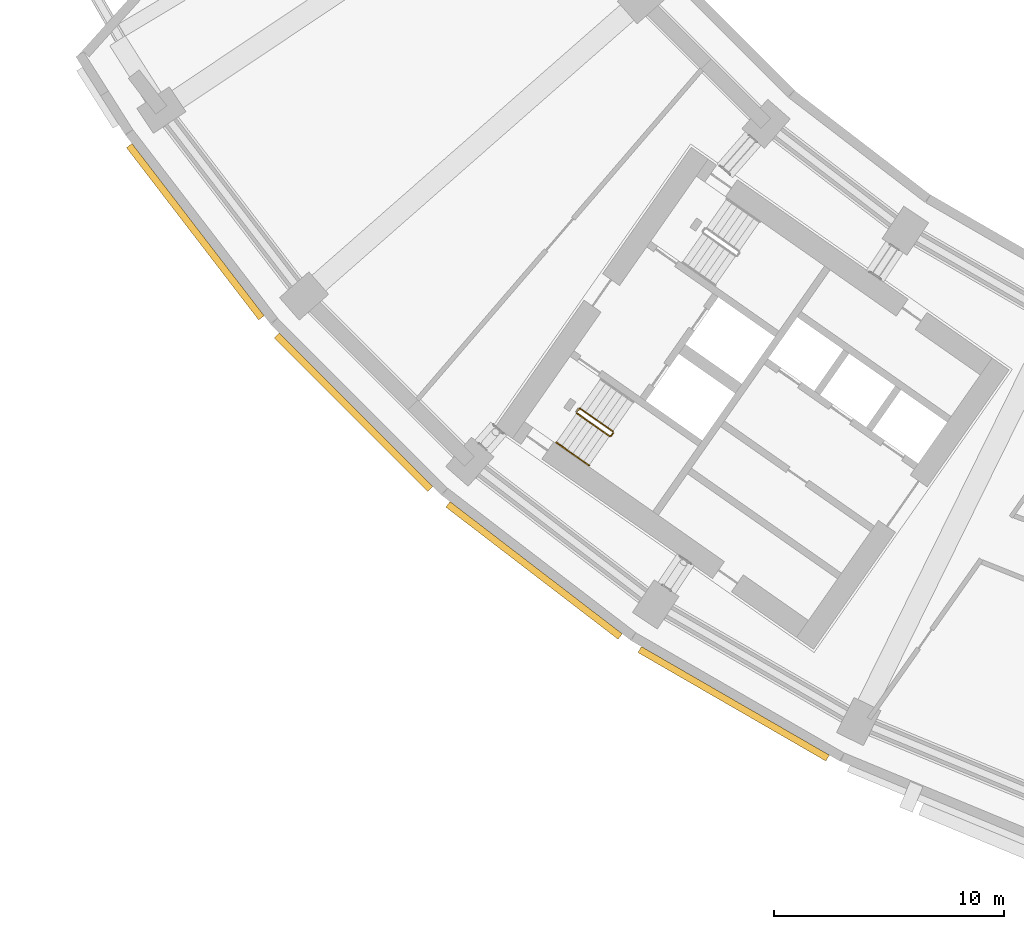
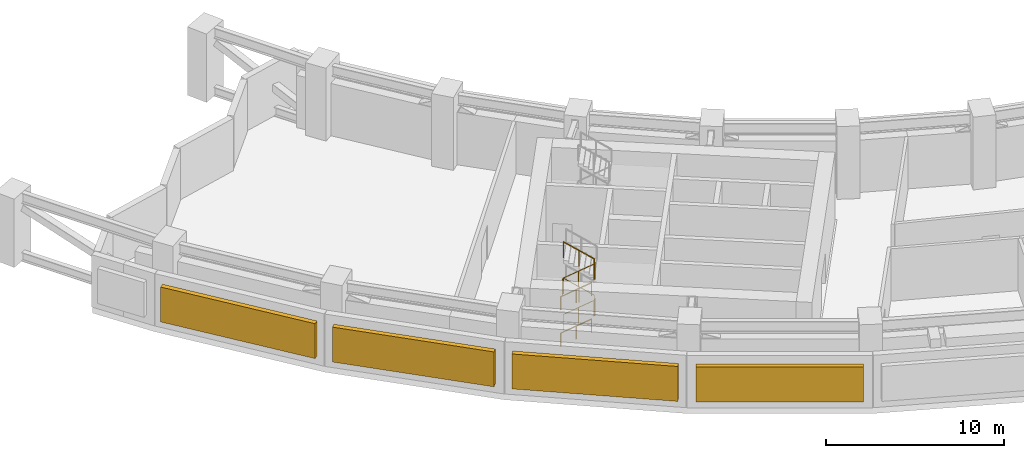
# One storey, part 21 of 25: 6 railings, 4 shading devices.
"""IFC4 building model written with IfcOpenShell, lengths in metres."""

from ifc_helpers import new_model, si_unit, direction, frame, origin, origin_2d, place, context, subcontext, project, spatial, rectangle, circle, extrude, material, type_object, element, save


model = new_model("IFC4")

# Units and contexts
model_context = context("Model", 3, precision=1e-05, world=origin(), true_north=direction((0.0, 1.0)))
body_context = subcontext(model_context, "Body", "Model", "MODEL_VIEW")
ifc_project = project(units=[si_unit("LENGTHUNIT", "METRE"), si_unit("AREAUNIT", "SQUARE_METRE"), si_unit("VOLUMEUNIT", "CUBIC_METRE"), si_unit("PLANEANGLEUNIT", "RADIAN"), si_unit("MASSUNIT", "GRAM", prefix="KILO")], contexts=[model_context])

# Site, building, storey
site_placement = place(None, origin())
site = spatial("IfcSite", under=ifc_project, at=site_placement, CompositionType="ELEMENT")
building_placement = place(site_placement, origin())
building = spatial("IfcBuilding", under=site, at=building_placement, Name="Qamariyya Broadcast Tower", CompositionType="ELEMENT")
storey_placement = place(building_placement, frame((0.0, 0.0, 89.89990234375)))
storey = spatial("IfcBuildingStorey", under=building, at=storey_placement, Name="L19", CompositionType="ELEMENT", Elevation=89.89990234375)

# Railings
ifc_material_1 = material(Name="Painted steel", Category="steel")
railing_type_1 = type_object("IfcRailingType", Name="Stair guard", PredefinedType="GUARDRAIL", material=ifc_material_1)
railing_1_placement = place(storey_placement, frame((-46.624267578125, -56.34765625, 0.1787109375)))
element("IfcRailing", 1, at=railing_1_placement, inside=storey, type_object=railing_type_1, Name="L19 ST-W1 stair guard 1", PredefinedType="GUARDRAIL", context=body_context, shape_type="SweptSolid", body=[
    extrude(circle(Radius=0.02392578125, at=origin_2d()), frame((0.0, 0.0, 1.076171875), z_axis=(0.697532699334, -0.488440163562, 0.524284598266), x_axis=(0.573594173421, 0.819139624372, 0.0)), (0.0, 0.0, 1.0), 2.04345703125),
    extrude(circle(Radius=0.02392578125, at=origin_2d()), frame((1.42529296875, -0.998046875, 2.1474609375), z_axis=(0.984957024646, 0.172799478008, 0.0), x_axis=(-0.172799478008, 0.984957024646, 0.0)), (0.0, 0.0, 1.0), 0.070556640625),
    extrude(circle(Radius=0.02392578125, at=origin_2d()), frame((1.494873046875, -0.98583984375, 2.1474609375), z_axis=(0.574444878118, 0.818543268254, 0.0), x_axis=(-0.818543268254, 0.574444878118, 0.0)), (0.0, 0.0, 1.0), 0.150146484375),
    extrude(circle(Radius=0.02099609375, at=origin_2d()), origin(), (0.0, 0.0, 1.0), 1.052001953125),
    extrude(circle(Radius=0.02099609375, at=origin_2d()), frame((0.712646484375, -0.4990234375, 0.53564453125)), (0.0, 0.0, 1.0), 1.052001953125),
    extrude(circle(Radius=0.02099609375, at=origin_2d()), frame((1.42529296875, -0.998046875, 1.0712890625)), (0.0, 0.0, 1.0), 1.052001953125),
    extrude(circle(Radius=0.02099609375, at=origin_2d()), frame((1.494873046875, -0.98583984375, 1.0712890625)), (0.0, 0.0, 1.0), 1.052001953125),
    extrude(circle(Radius=0.02099609375, at=origin_2d()), frame((1.5810546875, -0.863037109375, 1.0712890625)), (0.0, 0.0, 1.0), 1.052001953125),
])
railing_2_placement = place(storey_placement, frame((-45.0556640625, -57.14111328125, 1.4287109375)))
element("IfcRailing", 2, at=railing_2_placement, inside=storey, type_object=railing_type_1, Name="L19 ST-W1 stair guard 2", PredefinedType="GUARDRAIL", context=body_context, shape_type="SweptSolid", body=[
    extrude(circle(Radius=0.02392578125, at=origin_2d()), frame((0.0, 0.0, 1.076171875), z_axis=(-0.697532699334, 0.488440163562, 0.524284598266), x_axis=(-0.573594173421, -0.819139624372, 0.0)), (0.0, 0.0, 1.0), 2.04345703125),
    extrude(circle(Radius=0.02392578125, at=origin_2d()), frame((-1.42529296875, 0.998046875, 2.1474609375), z_axis=(-0.755650002112, -0.65497562879, 0.0), x_axis=(0.65497562879, -0.755650002112, 0.0)), (0.0, 0.0, 1.0), 0.2060546875),
    extrude(circle(Radius=0.02392578125, at=origin_2d()), frame((-1.5810546875, 0.863037109375, 2.1474609375), z_axis=(0.574444878118, 0.818543268254, 0.0), x_axis=(-0.818543268254, 0.574444878118, 0.0)), (0.0, 0.0, 1.0), 0.150146484375),
    extrude(circle(Radius=0.02099609375, at=origin_2d()), origin(), (0.0, 0.0, 1.0), 1.052001953125),
    extrude(circle(Radius=0.02099609375, at=origin_2d()), frame((-0.712646484375, 0.4990234375, 0.53564453125)), (0.0, 0.0, 1.0), 1.052001953125),
    extrude(circle(Radius=0.02099609375, at=origin_2d()), frame((-1.42529296875, 0.998046875, 1.0712890625)), (0.0, 0.0, 1.0), 1.052001953125),
    extrude(circle(Radius=0.02099609375, at=origin_2d()), frame((-1.5810546875, 0.863037109375, 1.0712890625)), (0.0, 0.0, 1.0), 1.052001953125),
    extrude(circle(Radius=0.02099609375, at=origin_2d()), frame((-1.494873046875, 0.98583984375, 1.0712890625)), (0.0, 0.0, 1.0), 1.052001953125),
])
railing_3_placement = place(storey_placement, frame((-46.624267578125, -56.34765625, 2.6787109375)))
element("IfcRailing", 3, at=railing_3_placement, inside=storey, type_object=railing_type_1, Name="L19 ST-W1 stair guard 3", PredefinedType="GUARDRAIL", context=body_context, shape_type="SweptSolid", body=[
    extrude(circle(Radius=0.02392578125, at=origin_2d()), frame((0.0, 0.0, 1.076171875), z_axis=(0.697532699334, -0.488440163562, 0.524284598266), x_axis=(0.573594173421, 0.819139624372, 0.0)), (0.0, 0.0, 1.0), 2.04345703125),
    extrude(circle(Radius=0.02392578125, at=origin_2d()), frame((1.42529296875, -0.998046875, 2.1474609375), z_axis=(0.984957024646, 0.172799478008, 0.0), x_axis=(-0.172799478008, 0.984957024646, 0.0)), (0.0, 0.0, 1.0), 0.070556640625),
    extrude(circle(Radius=0.02392578125, at=origin_2d()), frame((1.494873046875, -0.98583984375, 2.1474609375), z_axis=(0.574444878118, 0.818543268254, 0.0), x_axis=(-0.818543268254, 0.574444878118, 0.0)), (0.0, 0.0, 1.0), 0.150146484375),
    extrude(circle(Radius=0.02099609375, at=origin_2d()), origin(), (0.0, 0.0, 1.0), 1.052001953125),
    extrude(circle(Radius=0.02099609375, at=origin_2d()), frame((0.712646484375, -0.4990234375, 0.53564453125)), (0.0, 0.0, 1.0), 1.052001953125),
    extrude(circle(Radius=0.02099609375, at=origin_2d()), frame((1.42529296875, -0.998046875, 1.0712890625)), (0.0, 0.0, 1.0), 1.052001953125),
    extrude(circle(Radius=0.02099609375, at=origin_2d()), frame((1.494873046875, -0.98583984375, 1.0712890625)), (0.0, 0.0, 1.0), 1.052001953125),
    extrude(circle(Radius=0.02099609375, at=origin_2d()), frame((1.5810546875, -0.863037109375, 1.0712890625)), (0.0, 0.0, 1.0), 1.052001953125),
])
railing_4_placement = place(storey_placement, frame((-45.0556640625, -57.14111328125, 3.9287109375)))
element("IfcRailing", 4, at=railing_4_placement, inside=storey, type_object=railing_type_1, Name="L19 ST-W1 stair guard 4", PredefinedType="GUARDRAIL", context=body_context, shape_type="SweptSolid", body=[
    extrude(circle(Radius=0.02392578125, at=origin_2d()), frame((0.0, 0.0, 1.076171875), z_axis=(-0.697532699334, 0.488440163562, 0.524284598266), x_axis=(-0.573594173421, -0.819139624372, 0.0)), (0.0, 0.0, 1.0), 2.04345703125),
    extrude(circle(Radius=0.02099609375, at=origin_2d()), origin(), (0.0, 0.0, 1.0), 1.052001953125),
    extrude(circle(Radius=0.02099609375, at=origin_2d()), frame((-0.712646484375, 0.4990234375, 0.53564453125)), (0.0, 0.0, 1.0), 1.052001953125),
    extrude(circle(Radius=0.02099609375, at=origin_2d()), frame((-1.42529296875, 0.998046875, 1.0712890625)), (0.0, 0.0, 1.0), 1.052001953125),
])
ifc_material_2 = material(Name="Stainless steel", Category="steel")
railing_type_2 = type_object("IfcRailingType", Name="Stair handrail", PredefinedType="HANDRAIL", material=ifc_material_2)
for number, where, name in (
    (5, (-47.513427734375, -57.617431640625, 0.1787109375), "L19 ST-W1 stair handrail 1"),
    (6, (-47.513427734375, -57.617431640625, 2.6787109375), "L19 ST-W1 stair handrail 3"),
):
    element("IfcRailing", number, at=place(storey_placement, frame(where)), inside=storey, type_object=railing_type_2, Name=name, PredefinedType="HANDRAIL", context=body_context, shape_type="SweptSolid", body=[
        extrude(circle(Radius=0.02392578125, at=origin_2d()), frame((0.0, 0.0, 0.8759765625), z_axis=(0.697532699334, -0.488440163562, 0.524284598266), x_axis=(0.573594173421, 0.819139624372, 0.0)), (0.0, 0.0, 1.0), 2.04345703125),
        extrude(circle(Radius=0.02099609375, at=origin_2d()), origin(), (0.0, 0.0, 1.0), 0.851806640625),
        extrude(circle(Radius=0.02099609375, at=origin_2d()), frame((0.712646484375, -0.4990234375, 0.53564453125)), (0.0, 0.0, 1.0), 0.851806640625),
        extrude(circle(Radius=0.02099609375, at=origin_2d()), frame((1.42529296875, -0.998046875, 1.0712890625)), (0.0, 0.0, 1.0), 0.851806640625),
    ])

# Shading devices
ifc_material_3 = material(Name="Glazed terracotta", Category="masonry")
shading_device_type = type_object("IfcShadingDeviceType", Name="Terracotta louvre bank", PredefinedType="USERDEFINED", material=ifc_material_3)
for number, where, z_axis, x_axis, name in (
    (7, (-63.17431640625, -48.475341796875, 0.60009765625), (0.0, 0.0, 1.0), (0.608761429009, -0.793353340291, 0.0), "e-lv-L19-01"),
    (8, (-56.306640625, -56.306640625, 0.60009765625), (0.0, 0.0, 1.0), (0.707106781187, -0.707106781187, 0.0), "e-lv-L19-02"),
    (9, (-48.475341796875, -63.17431640625, 0.60009765625), (0.0, 0.0, 1.0), (0.793353340291, -0.608761429009, 0.0), "e-lv-L19-03"),
    (10, (-39.814697265625, -68.961181640625, 0.60009765625), (0.0, 0.0, 1.0), (0.866025403784, -0.5, 0.0), "e-lv-L19-04"),
):
    element("IfcShadingDevice", number, at=place(storey_placement, frame(where, z_axis=z_axis, x_axis=x_axis)), inside=storey, type_object=shading_device_type, Name=name, ObjectType="LOUVRE", PredefinedType="USERDEFINED", context=body_context, shape_type="SweptSolid", body=[
        extrude(rectangle(XDim=9.418701171875, YDim=0.300048828125, at=origin_2d()), origin(), (0.0, 0.0, 1.0), 2.39990234375),
    ])

save(model, "model.ifc")
